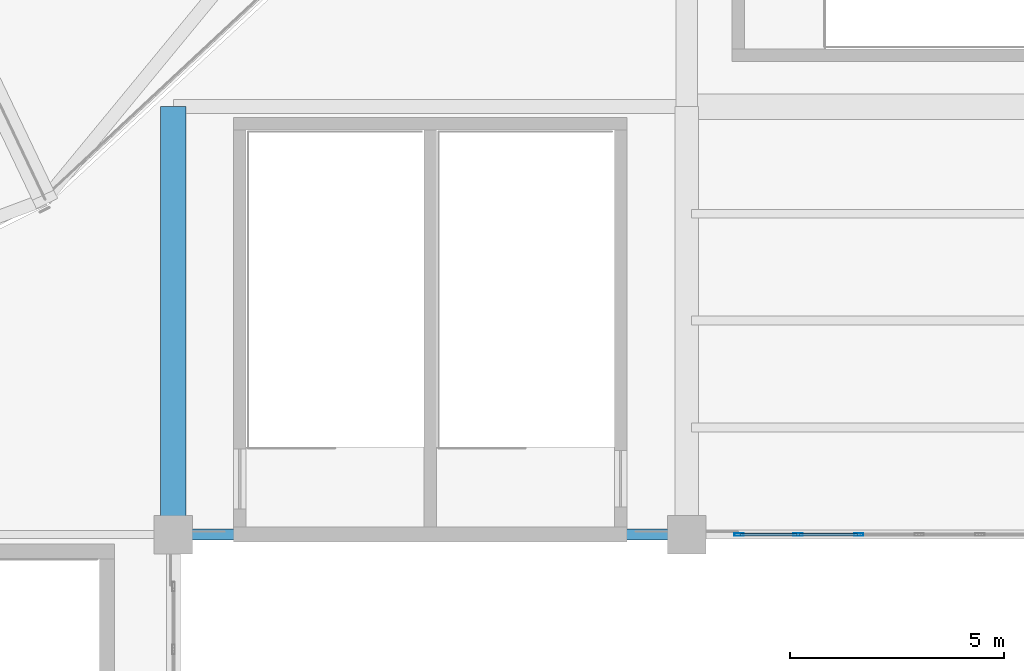
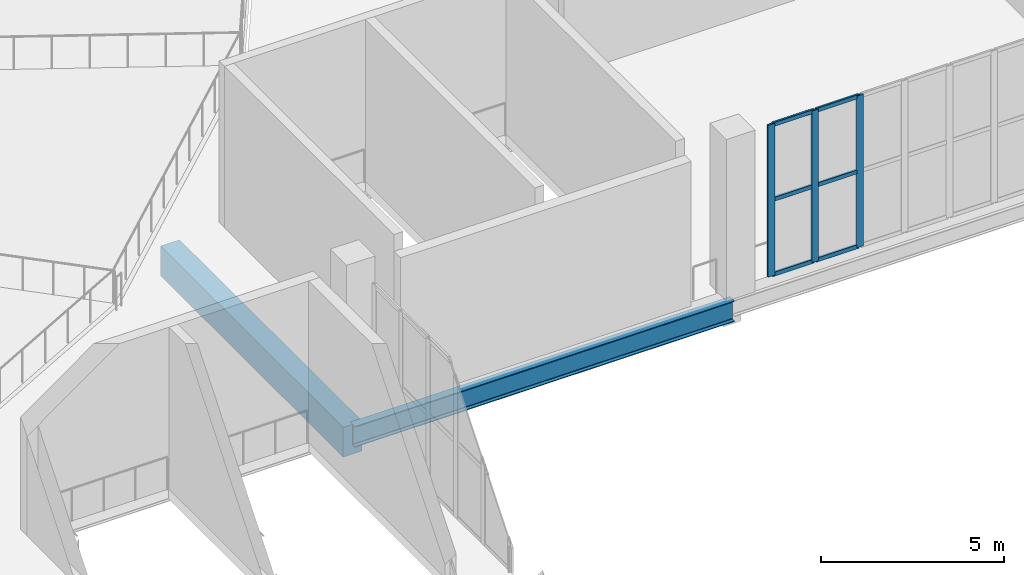
# One storey, part 15 of 74: 9 members, 2 beams, 1 element without a shape of its own.
"""IFC4 building model written with IfcOpenShell, lengths in metres."""

from ifc_helpers import new_model, si_unit, direction, frame, origin, origin_2d, place, context, subcontext, project, spatial, rectangle, hollow_rectangle, i_section, extrude, material, layer, layer_set, material_profile, profile_set, type_object, element, aggregate, save


model = new_model("IFC4")

# Units and contexts
model_context = context("Model", 3, precision=1e-05, world=origin(), true_north=direction((0.0, 1.0)))
body_context = subcontext(model_context, "Body", "Model", "MODEL_VIEW")
ifc_project = project(units=[si_unit("LENGTHUNIT", "METRE"), si_unit("AREAUNIT", "SQUARE_METRE"), si_unit("VOLUMEUNIT", "CUBIC_METRE"), si_unit("PLANEANGLEUNIT", "RADIAN"), si_unit("MASSUNIT", "GRAM", prefix="KILO")], contexts=[model_context])

# Site, building, storey
site_placement = place(None, origin())
site = spatial("IfcSite", under=ifc_project, at=site_placement, CompositionType="ELEMENT")
building_placement = place(site_placement, origin())
building = spatial("IfcBuilding", under=site, at=building_placement, Name="Brinegate Civic Arena", CompositionType="ELEMENT")
storey_placement = place(building_placement, frame((0.0, 0.0, 19.199951171875)))
storey = spatial("IfcBuildingStorey", under=building, at=storey_placement, Name="L04", CompositionType="ELEMENT", Elevation=19.199951171875)

# Curtain wall, members
ifc_material_1 = material(Name="Marine grade aluminium", Category="aluminium")
ifc_layer = layer(ifc_material_1, 0.199951171875, Name="Marine grade aluminium")
ifc_layer_set = layer_set([ifc_layer], Name="Marine grade aluminium")
curtain_wall_type = type_object("IfcCurtainWallType", Name="CW-BOWL-GLAZED-01", PredefinedType="USERDEFINED", material=ifc_layer_set)
curtain_wall_placement = place(storey_placement, origin())
curtain_wall = element("IfcCurtainWall", 1, at=curtain_wall_placement, inside=storey, type_object=curtain_wall_type, Name="Curtain Wall CWA-153", ObjectType="GLAZED CURTAIN WALL", PredefinedType="USERDEFINED")
ifc_material_profile_1 = material_profile(ifc_material_1, hollow_rectangle(XDim=0.06494140625, YDim=0.219970703125, WallThickness=0.006103515625, InnerFilletRadius=0.00390625, OuterFilletRadius=0.008056640625, at=origin_2d()), Name="MUL65X220")
ifc_profile_set_1 = profile_set([ifc_material_profile_1], Name="Marine grade aluminium")
member_type_1 = type_object("IfcMemberType", Name="CW-MULLION-65X220", PredefinedType="MULLION", material=ifc_profile_set_1)
member_1_placement = place(storey_placement, frame((145.218505859375, 10.0, 0.0), z_axis=(0.0, 0.0, 1.0), x_axis=(0.0, 1.0, 0.0)))
member_1 = element("IfcMember", 2, at=member_1_placement, type_object=member_type_1, Name="CWA-153 mullion 1", PredefinedType="MULLION", context=body_context, shape_type="SweptSolid", body=[
    extrude(hollow_rectangle(XDim=0.06494140625, YDim=0.219970703125, WallThickness=0.006103515625, InnerFilletRadius=0.00390625, OuterFilletRadius=0.008056640625, at=origin_2d()), origin(), (0.0, 0.0, 1.0), 5.070068359375),
])
member_2_placement = place(storey_placement, frame((146.60107421875, 10.0, 0.0), z_axis=(0.0, 0.0, 1.0), x_axis=(0.0, 1.0, 0.0)))
member_2 = element("IfcMember", 3, at=member_2_placement, type_object=member_type_1, Name="CWA-153 mullion 2", PredefinedType="MULLION", context=body_context, shape_type="SweptSolid", body=[
    extrude(hollow_rectangle(XDim=0.06494140625, YDim=0.219970703125, WallThickness=0.006103515625, InnerFilletRadius=0.00390625, OuterFilletRadius=0.008056640625, at=origin_2d()), origin(), (0.0, 0.0, 1.0), 5.070068359375),
])
member_3_placement = place(storey_placement, frame((148.01611328125, 10.0, 0.0), z_axis=(0.0, 0.0, 1.0), x_axis=(0.0, 1.0, 0.0)))
member_3 = element("IfcMember", 4, at=member_3_placement, type_object=member_type_1, Name="CWA-153 mullion 3", PredefinedType="MULLION", context=body_context, shape_type="SweptSolid", body=[
    extrude(hollow_rectangle(XDim=0.06494140625, YDim=0.219970703125, WallThickness=0.006103515625, InnerFilletRadius=0.00390625, OuterFilletRadius=0.008056640625, at=origin_2d()), origin(), (0.0, 0.0, 1.0), 5.070068359375),
])
ifc_material_profile_2 = material_profile(ifc_material_1, hollow_rectangle(XDim=0.06494140625, YDim=0.139892578125, WallThickness=0.0048828125, InnerFilletRadius=0.00390625, OuterFilletRadius=0.008056640625, at=origin_2d()), Name="TRN65X140")
ifc_profile_set_2 = profile_set([ifc_material_profile_2], Name="Marine grade aluminium")
member_type_2 = type_object("IfcMemberType", Name="CW-TRANSOM-65X140", PredefinedType="USERDEFINED", material=ifc_profile_set_2)
member_4_placement = place(storey_placement, frame((145.2509765625, 10.0, 0.032470703125), z_axis=(1.0, 0.0, 0.0), x_axis=(0.0, 1.0, 0.0)))
member_4 = element("IfcMember", 5, at=member_4_placement, type_object=member_type_2, Name="CWA-153 transom 1.1", ObjectType="TRANSOM", PredefinedType="USERDEFINED", context=body_context, shape_type="SweptSolid", body=[
    extrude(hollow_rectangle(XDim=0.06494140625, YDim=0.139892578125, WallThickness=0.0048828125, InnerFilletRadius=0.00390625, OuterFilletRadius=0.008056640625, at=origin_2d()), origin(), (0.0, 0.0, 1.0), 1.317626953125),
])
member_5_placement = place(storey_placement, frame((145.2509765625, 10.0, 2.53515625), z_axis=(1.0, 0.0, 0.0), x_axis=(0.0, 1.0, 0.0)))
member_5 = element("IfcMember", 6, at=member_5_placement, type_object=member_type_2, Name="CWA-153 transom 1.2", ObjectType="TRANSOM", PredefinedType="USERDEFINED", context=body_context, shape_type="SweptSolid", body=[
    extrude(hollow_rectangle(XDim=0.06494140625, YDim=0.139892578125, WallThickness=0.0048828125, InnerFilletRadius=0.00390625, OuterFilletRadius=0.008056640625, at=origin_2d()), origin(), (0.0, 0.0, 1.0), 1.317626953125),
])
member_6_placement = place(storey_placement, frame((145.2509765625, 10.0, 5.03759765625), z_axis=(1.0, 0.0, 0.0), x_axis=(0.0, 1.0, 0.0)))
member_6 = element("IfcMember", 7, at=member_6_placement, type_object=member_type_2, Name="CWA-153 transom 1.3", ObjectType="TRANSOM", PredefinedType="USERDEFINED", context=body_context, shape_type="SweptSolid", body=[
    extrude(hollow_rectangle(XDim=0.06494140625, YDim=0.139892578125, WallThickness=0.0048828125, InnerFilletRadius=0.00390625, OuterFilletRadius=0.008056640625, at=origin_2d()), origin(), (0.0, 0.0, 1.0), 1.317626953125),
])
member_7_placement = place(storey_placement, frame((146.633544921875, 10.0, 0.032470703125), z_axis=(1.0, 0.0, 0.0), x_axis=(0.0, 1.0, 0.0)))
member_7 = element("IfcMember", 8, at=member_7_placement, type_object=member_type_2, Name="CWA-153 transom 2.1", ObjectType="TRANSOM", PredefinedType="USERDEFINED", context=body_context, shape_type="SweptSolid", body=[
    extrude(hollow_rectangle(XDim=0.06494140625, YDim=0.139892578125, WallThickness=0.0048828125, InnerFilletRadius=0.00390625, OuterFilletRadius=0.008056640625, at=origin_2d()), origin(), (0.0, 0.0, 1.0), 1.349853515625),
])
member_8_placement = place(storey_placement, frame((146.633544921875, 10.0, 2.53515625), z_axis=(1.0, 0.0, 0.0), x_axis=(0.0, 1.0, 0.0)))
member_8 = element("IfcMember", 9, at=member_8_placement, type_object=member_type_2, Name="CWA-153 transom 2.2", ObjectType="TRANSOM", PredefinedType="USERDEFINED", context=body_context, shape_type="SweptSolid", body=[
    extrude(hollow_rectangle(XDim=0.06494140625, YDim=0.139892578125, WallThickness=0.0048828125, InnerFilletRadius=0.00390625, OuterFilletRadius=0.008056640625, at=origin_2d()), origin(), (0.0, 0.0, 1.0), 1.349853515625),
])
member_9_placement = place(storey_placement, frame((146.633544921875, 10.0, 5.03759765625), z_axis=(1.0, 0.0, 0.0), x_axis=(0.0, 1.0, 0.0)))
member_9 = element("IfcMember", 10, at=member_9_placement, type_object=member_type_2, Name="CWA-153 transom 2.3", ObjectType="TRANSOM", PredefinedType="USERDEFINED", context=body_context, shape_type="SweptSolid", body=[
    extrude(hollow_rectangle(XDim=0.06494140625, YDim=0.139892578125, WallThickness=0.0048828125, InnerFilletRadius=0.00390625, OuterFilletRadius=0.008056640625, at=origin_2d()), origin(), (0.0, 0.0, 1.0), 1.349853515625),
])
aggregate(curtain_wall, [member_1, member_2, member_3, member_4, member_5, member_6, member_7, member_8, member_9])

# Beams
ifc_material_2 = material(Name="Concrete C50/60", Category="concrete")
ifc_material_profile_3 = material_profile(ifc_material_2, rectangle(XDim=0.60009765625, YDim=1.0, at=origin_2d()), Name="RCB600X1000")
ifc_profile_set_3 = profile_set([ifc_material_profile_3], Name="Concrete C50/60")
beam_type_1 = type_object("IfcBeamType", Name="RCG-600X1000", PredefinedType="BEAM", material=ifc_profile_set_3)
beam_1_placement = place(storey_placement, frame((132.0, 10.0, -0.83984375), z_axis=(0.0, 1.0, 0.0), x_axis=(-1.0, 0.0, 0.0)))
element("IfcBeam", 11, at=beam_1_placement, inside=storey, type_object=beam_type_1, Name="Floor Girder BM-L04-GY-11-01", PredefinedType="BEAM", context=body_context, shape_type="SweptSolid", body=[
    extrude(rectangle(XDim=0.60009765625, YDim=1.0, at=origin_2d()), origin(), (0.0, 0.0, 1.0), 10.0),
])
ifc_material_3 = material(Name="Steel S355", Category="steel")
ifc_material_profile_4 = material_profile(ifc_material_3, i_section(OverallWidth=0.256103515625, OverallDepth=0.693115234375, WebThickness=0.014892578125, FlangeThickness=0.02392578125, FilletRadius=0.01806640625, at=origin_2d()), Name="W690X170")
ifc_profile_set_4 = profile_set([ifc_material_profile_4], Name="Steel S355")
beam_type_2 = type_object("IfcBeamType", Name="SPANDREL-W690X170", PredefinedType="SPANDREL", material=ifc_profile_set_4)
beam_2_placement = place(storey_placement, frame((132.0, 10.0, -0.68603515625), z_axis=(1.0, 0.0, 0.0), x_axis=(0.0, 1.0, 0.0)))
element("IfcBeam", 12, at=beam_2_placement, inside=storey, type_object=beam_type_2, Name="Floor Girder BM-L04-GX-11-01", PredefinedType="SPANDREL", context=body_context, shape_type="SweptSolid", body=[
    extrude(i_section(OverallWidth=0.256103515625, OverallDepth=0.693115234375, WebThickness=0.014892578125, FlangeThickness=0.02392578125, FilletRadius=0.01806640625, at=origin_2d()), origin(), (0.0, 0.0, 1.0), 12.0),
])

save(model, "model.ifc")
